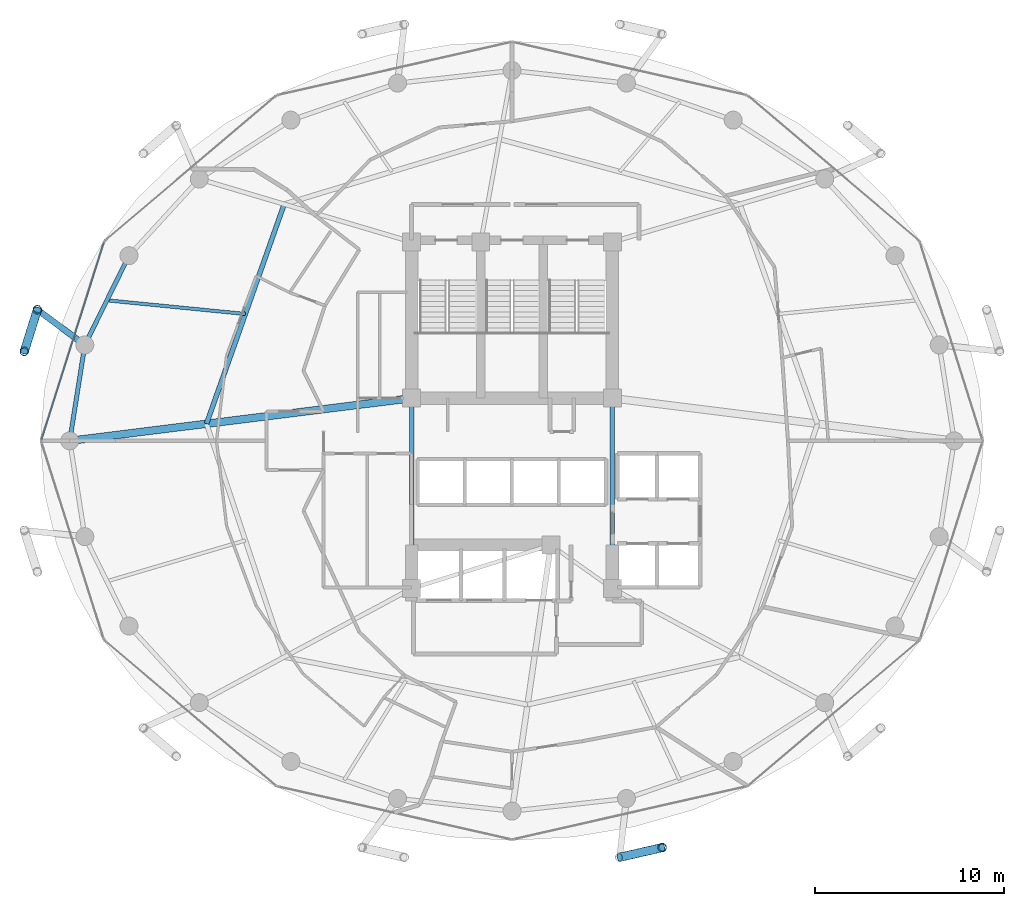
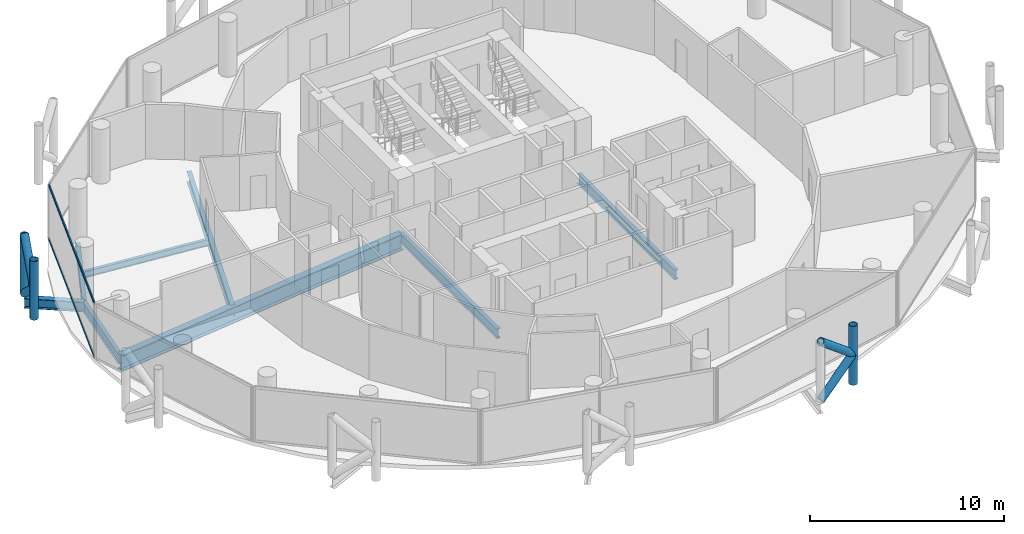
# One storey, part 7 of 26: 9 members, 8 beams, 1 element without a shape of its own.
"""IFC4 building model written with IfcOpenShell, lengths in metres."""

from ifc_helpers import new_model, si_unit, direction, frame, origin, origin_2d, place, context, subcontext, project, spatial, hollow_rectangle, hollow_circle, i_section, extrude, material, layer, layer_set, material_profile, profile_set, type_object, element, aggregate, save


model = new_model("IFC4")

# Units and contexts
model_context = context("Model", 3, precision=1e-05, world=origin(), true_north=direction((0.0, 1.0)))
body_context = subcontext(model_context, "Body", "Model", "MODEL_VIEW")
ifc_project = project(units=[si_unit("LENGTHUNIT", "METRE"), si_unit("AREAUNIT", "SQUARE_METRE"), si_unit("VOLUMEUNIT", "CUBIC_METRE"), si_unit("PLANEANGLEUNIT", "RADIAN"), si_unit("MASSUNIT", "GRAM", prefix="KILO")], contexts=[model_context])

# Site, building, storey
site_placement = place(None, origin())
site = spatial("IfcSite", under=ifc_project, at=site_placement, CompositionType="ELEMENT")
building_placement = place(site_placement, origin())
building = spatial("IfcBuilding", under=site, at=building_placement, Name="Nuhasar Tower", CompositionType="ELEMENT")
storey_placement = place(building_placement, frame((0.0, 0.0, 181.14990234375)))
storey = spatial("IfcBuildingStorey", under=building, at=storey_placement, Name="L44", CompositionType="ELEMENT", Elevation=181.14990234375)

# Beams
ifc_material_1 = material(Name="Steel S355", Category="steel")
ifc_material_profile_1 = material_profile(ifc_material_1, i_section(OverallWidth=0.25390625, OverallDepth=0.68408203125, WebThickness=0.012451171875, FlangeThickness=0.018798828125, at=origin_2d()), Name="W27X94")
ifc_profile_set_1 = profile_set([ifc_material_profile_1], Name="Steel S355")
beam_type_1 = type_object("IfcBeamType", Name="BM-INRING-W27X94", PredefinedType="BEAM", material=ifc_profile_set_1)
beam_1_placement = place(storey_placement, frame((26.972900390625, 39.2939453125, -0.591796875), z_axis=(-0.333599821096, -0.942714781556, 0.0), x_axis=(0.942714781556, -0.333599821096, 0.0)))
element("IfcBeam", 1, at=beam_1_placement, inside=storey, type_object=beam_type_1, Name="L44 Inner Header Beam 07", PredefinedType="BEAM", context=body_context, shape_type="SweptSolid", body=[
    extrude(i_section(OverallWidth=0.25390625, OverallDepth=0.68408203125, WebThickness=0.012451171875, FlangeThickness=0.018798828125, at=origin_2d()), origin(), (0.0, 0.0, 1.0), 12.298583984375),
])
ifc_material_profile_2 = material_profile(ifc_material_1, i_section(OverallWidth=0.177978515625, OverallDepth=0.406005859375, WebThickness=0.0078125, FlangeThickness=0.0126953125, at=origin_2d()), Name="W16X40")
ifc_profile_set_2 = profile_set([ifc_material_profile_2], Name="Steel S355")
beam_type_2 = type_object("IfcBeamType", Name="BM-JST-W16X40", PredefinedType="JOIST", material=ifc_profile_set_2)
beam_2_placement = place(storey_placement, frame((24.922119140625, 33.4970703125, -0.452880859375), z_axis=(-0.995171845755, 0.098147834497, 0.0), x_axis=(-0.098147834497, -0.995171845755, 0.0)))
element("IfcBeam", 2, at=beam_2_placement, inside=storey, type_object=beam_type_2, Name="L44 Secondary Floor Joist 07", PredefinedType="JOIST", context=body_context, shape_type="SweptSolid", body=[
    extrude(i_section(OverallWidth=0.177978515625, OverallDepth=0.406005859375, WebThickness=0.0078125, FlangeThickness=0.0126953125, at=origin_2d()), origin(), (0.0, 0.0, 1.0), 7.345458984375),
])
ifc_material_profile_3 = material_profile(ifc_material_1, i_section(OverallWidth=0.22900390625, OverallDepth=0.612060546875, WebThickness=0.011962890625, FlangeThickness=0.01953125, at=origin_2d()), Name="W24X84")
ifc_profile_set_3 = profile_set([ifc_material_profile_3], Name="Steel S355")
beam_type_3 = type_object("IfcBeamType", Name="BM-RAD-W24X84", PredefinedType="BEAM", material=ifc_profile_set_3)
for number, where, z_axis, x_axis, name in (
    (3, (44.300048828125, 19.0, -0.555908203125), (0.0, 1.0, 0.0), (-1.0, 0.0, 0.0), "L44 Core Ring Girder 3"),
    (4, (33.699951171875, 29.050048828125, -0.555908203125), (0.0, -1.0, 0.0), (1.0, 0.0, 0.0), "L44 Core Ring Girder 8"),
):
    element("IfcBeam", number, at=place(storey_placement, frame(where, z_axis=z_axis, x_axis=x_axis)), inside=storey, type_object=beam_type_3, Name=name, PredefinedType="BEAM", context=body_context, shape_type="SweptSolid", body=[
        extrude(i_section(OverallWidth=0.22900390625, OverallDepth=0.612060546875, WebThickness=0.011962890625, FlangeThickness=0.01953125, at=origin_2d()), origin(), (0.0, 0.0, 1.0), 10.050048828125),
    ])
ifc_material_profile_4 = material_profile(ifc_material_1, i_section(OverallWidth=0.22998046875, OverallDepth=0.616943359375, WebThickness=0.01318359375, FlangeThickness=0.022216796875, at=origin_2d()), Name="W24X94")
ifc_profile_set_4 = profile_set([ifc_material_profile_4], Name="Steel S355")
beam_type_4 = type_object("IfcBeamType", Name="BM-RING-W24X94", PredefinedType="SPANDREL", material=ifc_profile_set_4)
beam_3_placement = place(storey_placement, frame((18.778076171875, 36.574951171875, -0.558837890625), z_axis=(-0.443347771709, -0.896349682501, 0.0), x_axis=(0.896349682501, -0.443347771709, 0.0)))
element("IfcBeam", 5, at=beam_3_placement, inside=storey, type_object=beam_type_4, Name="L44 Perimeter Ring Spandrel 11", PredefinedType="SPANDREL", context=body_context, shape_type="SweptSolid", body=[
    extrude(i_section(OverallWidth=0.22998046875, OverallDepth=0.616943359375, WebThickness=0.01318359375, FlangeThickness=0.022216796875, at=origin_2d()), origin(), (0.0, 0.0, 1.0), 5.260009765625),
])
beam_4_placement = place(storey_placement, frame((16.446044921875, 31.860107421875, -0.558837890625), z_axis=(-0.155426543608, -0.987847452566, 0.0), x_axis=(0.987847452566, -0.155426543608, 0.0)))
element("IfcBeam", 6, at=beam_4_placement, inside=storey, type_object=beam_type_4, Name="L44 Perimeter Ring Spandrel 12", PredefinedType="SPANDREL", context=body_context, shape_type="SweptSolid", body=[
    extrude(i_section(OverallWidth=0.22998046875, OverallDepth=0.616943359375, WebThickness=0.01318359375, FlangeThickness=0.022216796875, at=origin_2d()), origin(), (0.0, 0.0, 1.0), 5.122314453125),
])
ifc_material_profile_5 = material_profile(ifc_material_1, i_section(OverallWidth=0.323974609375, OverallDepth=0.611083984375, WebThickness=0.0126953125, FlangeThickness=0.01904296875, at=origin_2d()), Name="W24X104")
ifc_profile_set_5 = profile_set([ifc_material_profile_5], Name="Steel S355")
beam_type_5 = type_object("IfcBeamType", Name="BM-TIE-W24X104", PredefinedType="BEAM", material=ifc_profile_set_5)
beam_5_placement = place(storey_placement, frame((16.446044921875, 31.860107421875, -0.554931640625), z_axis=(-0.802872198291, 0.596151183183, 0.0), x_axis=(-0.596151183183, -0.802872198291, 0.0)))
element("IfcBeam", 7, at=beam_5_placement, inside=storey, type_object=beam_type_5, Name="L44 Exoskeleton Node Tie Beam 06", PredefinedType="BEAM", context=body_context, shape_type="SweptSolid", body=[
    extrude(i_section(OverallWidth=0.323974609375, OverallDepth=0.611083984375, WebThickness=0.0126953125, FlangeThickness=0.01904296875, at=origin_2d()), origin(), (0.0, 0.0, 1.0), 3.121337890625),
])
ifc_material_2 = material(Name="Steel S460", Category="steel")
ifc_material_profile_6 = material_profile(ifc_material_2, i_section(OverallWidth=0.40087890625, OverallDepth=1.010009765625, WebThickness=0.023681640625, FlangeThickness=0.0419921875, at=origin_2d()), Name="W40X297")
ifc_profile_set_6 = profile_set([ifc_material_profile_6], Name="Steel S460")
beam_type_6 = type_object("IfcBeamType", Name="BM-XFER-W40X297", PredefinedType="USERDEFINED", material=ifc_profile_set_6)
beam_6_placement = place(storey_placement, frame((33.699951171875, 29.050048828125, -0.7548828125), z_axis=(-0.992320149485, -0.123696082908, 0.0), x_axis=(0.123696082908, -0.992320149485, 0.0)))
element("IfcBeam", 8, at=beam_6_placement, inside=storey, type_object=beam_type_6, Name="L44 Radial Floor Girder 08", ObjectType="GIRDER", PredefinedType="USERDEFINED", context=body_context, shape_type="SweptSolid", body=[
    extrude(i_section(OverallWidth=0.40087890625, OverallDepth=1.010009765625, WebThickness=0.023681640625, FlangeThickness=0.0419921875, at=origin_2d()), origin(), (0.0, 0.0, 1.0), 18.189697265625),
])

# Curtain wall, members
ifc_material_3 = material(Name="Aluminium 6063-T6", Category="aluminium")
ifc_layer = layer(ifc_material_3, 0.199951171875)
ifc_layer_set = layer_set([ifc_layer], Name="Aluminium 6063-T6")
curtain_wall_type = type_object("IfcCurtainWallType", Name="CW-Z2-HTL", PredefinedType="NOTDEFINED", material=ifc_layer_set)
curtain_wall_placement = place(storey_placement, origin())
curtain_wall = element("IfcCurtainWall", 9, at=curtain_wall_placement, inside=storey, type_object=curtain_wall_type, Name="L44 Unitised Curtain Wall 06", PredefinedType="NOTDEFINED")
ifc_material_profile_7 = material_profile(ifc_material_3, hollow_rectangle(XDim=0.070068359375, YDim=0.159912109375, WallThickness=0.00439453125, at=origin_2d()), Name="CWT-3")
ifc_profile_set_7 = profile_set([ifc_material_profile_7], Name="Aluminium 6063-T6")
member_type_1 = type_object("IfcMemberType", Name="CW-TRN-S3", PredefinedType="USERDEFINED", material=ifc_profile_set_7)
member_1_placement = place(storey_placement, frame((17.449951171875, 37.26318359375, 0.03515625), z_axis=(-0.301608163352, -0.953431967053, 0.0), x_axis=(0.953431967053, -0.301608163352, 0.0)))
member_1 = element("IfcMember", 10, at=member_1_placement, type_object=member_type_1, Name="CW-Z2 transom 1.1", ObjectType="TRANSOM", PredefinedType="USERDEFINED", context=body_context, shape_type="SweptSolid", body=[
    extrude(hollow_rectangle(XDim=0.070068359375, YDim=0.159912109375, WallThickness=0.00439453125, at=origin_2d()), origin(), (0.0, 0.0, 1.0), 10.904296875),
])
member_2_placement = place(storey_placement, frame((17.449951171875, 37.26318359375, 3.4150390625), z_axis=(-0.301608163352, -0.953431967053, 0.0), x_axis=(0.953431967053, -0.301608163352, 0.0)))
member_2 = element("IfcMember", 11, at=member_2_placement, type_object=member_type_1, Name="CW-Z2 transom 1.2", ObjectType="TRANSOM", PredefinedType="USERDEFINED", context=body_context, shape_type="SweptSolid", body=[
    extrude(hollow_rectangle(XDim=0.070068359375, YDim=0.159912109375, WallThickness=0.00439453125, at=origin_2d()), origin(), (0.0, 0.0, 1.0), 10.904296875),
])
aggregate(curtain_wall, [member_1, member_2])

# Members
ifc_material_profile_8 = material_profile(ifc_material_2, hollow_circle(Radius=0.228515625, WallThickness=0.022216796875, at=origin_2d()), Name="HSS457X22.2")
ifc_profile_set_8 = profile_set([ifc_material_profile_8], Name="Steel S460")
member_type_2 = type_object("IfcMemberType", Name="EXO-BRONZE-457", PredefinedType="BRACE", material=ifc_profile_set_8)
for number, where, z_axis, x_axis, name in (
    (12, (13.93994140625, 33.720947265625, 0.0), (0.0, 0.0, 1.0), (1.0, 0.0, 0.0), "L44 Exoskeleton Chord Column EC-06A"),
    (13, (13.251953125, 31.52587890625, 0.0), (0.0, 0.0, 1.0), (1.0, 0.0, 0.0), "L44 Exoskeleton Chord Column EC-06B"),
    (14, (46.927978515625, 5.323974609375, 0.0), (0.0, 0.0, 1.0), (1.0, 0.0, 0.0), "L44 Exoskeleton Chord Column EC-10B"),
):
    element("IfcMember", number, at=place(storey_placement, frame(where, z_axis=z_axis, x_axis=x_axis)), inside=storey, type_object=member_type_2, Name=name, PredefinedType="BRACE", context=body_context, shape_type="SweptSolid", body=[
        extrude(hollow_circle(Radius=0.228515625, WallThickness=0.022216796875, at=origin_2d()), origin(), (0.0, 0.0, 1.0), 3.7001953125),
    ])
for number, where, z_axis, x_axis, name in (
    (15, (13.93994140625, 33.720947265625, 0.0), (-0.233055548538, -0.743577869731, 0.626719285599), (0.954228474306, -0.29907861646, 0.0), "L44 Bronze Diagrid Brace W1-06"),
    (16, (13.251953125, 31.52587890625, 1.85009765625), (0.233055548538, 0.743577869731, 0.626719285599), (-0.954228474306, 0.29907861646, 0.0), "L44 Bronze Diagrid Brace W2-06"),
):
    element("IfcMember", number, at=place(storey_placement, frame(where, z_axis=z_axis, x_axis=x_axis)), inside=storey, type_object=member_type_2, Name=name, PredefinedType="BRACE", context=body_context, shape_type="SweptSolid", body=[
        extrude(hollow_circle(Radius=0.228515625, WallThickness=0.022216796875, at=origin_2d()), origin(), (0.0, 0.0, 1.0), 2.9521484375),
    ])
for number, where, z_axis, x_axis, name in (
    (17, (44.68603515625, 4.81005859375, 0.0), (0.759510488094, 0.174101010284, 0.626763637022), (-0.223432882746, 0.974719316987, 0.0), "L44 Bronze Diagrid Brace W1-10"),
    (18, (46.927978515625, 5.323974609375, 1.85009765625), (-0.759510488094, -0.174101010284, 0.626763637022), (0.223432882746, -0.974719316987, 0.0), "L44 Bronze Diagrid Brace W2-10"),
):
    element("IfcMember", number, at=place(storey_placement, frame(where, z_axis=z_axis, x_axis=x_axis)), inside=storey, type_object=member_type_2, Name=name, PredefinedType="BRACE", context=body_context, shape_type="SweptSolid", body=[
        extrude(hollow_circle(Radius=0.228515625, WallThickness=0.022216796875, at=origin_2d()), origin(), (0.0, 0.0, 1.0), 2.951904296875),
    ])

save(model, "model.ifc")
